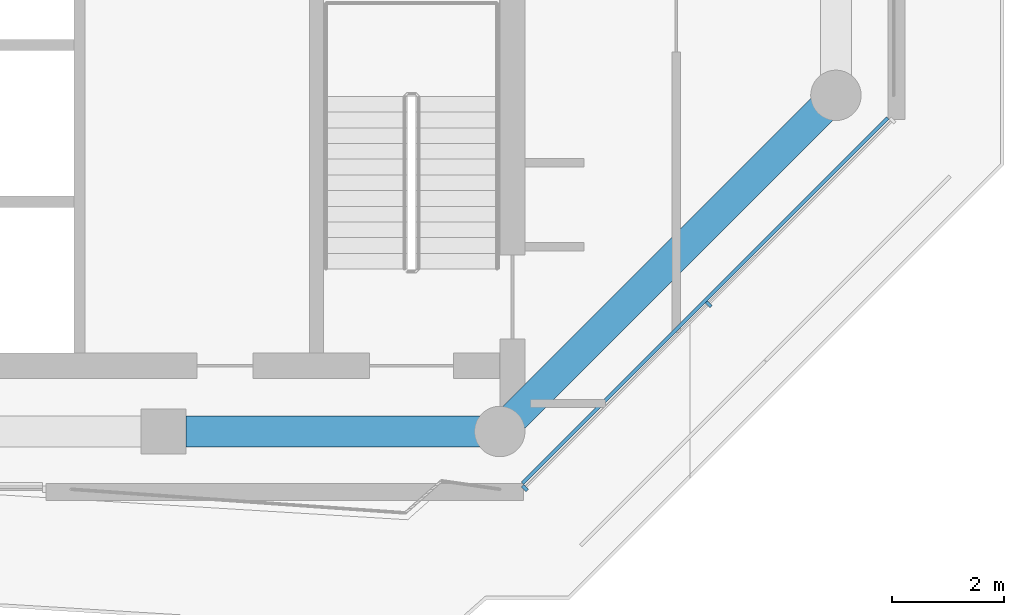
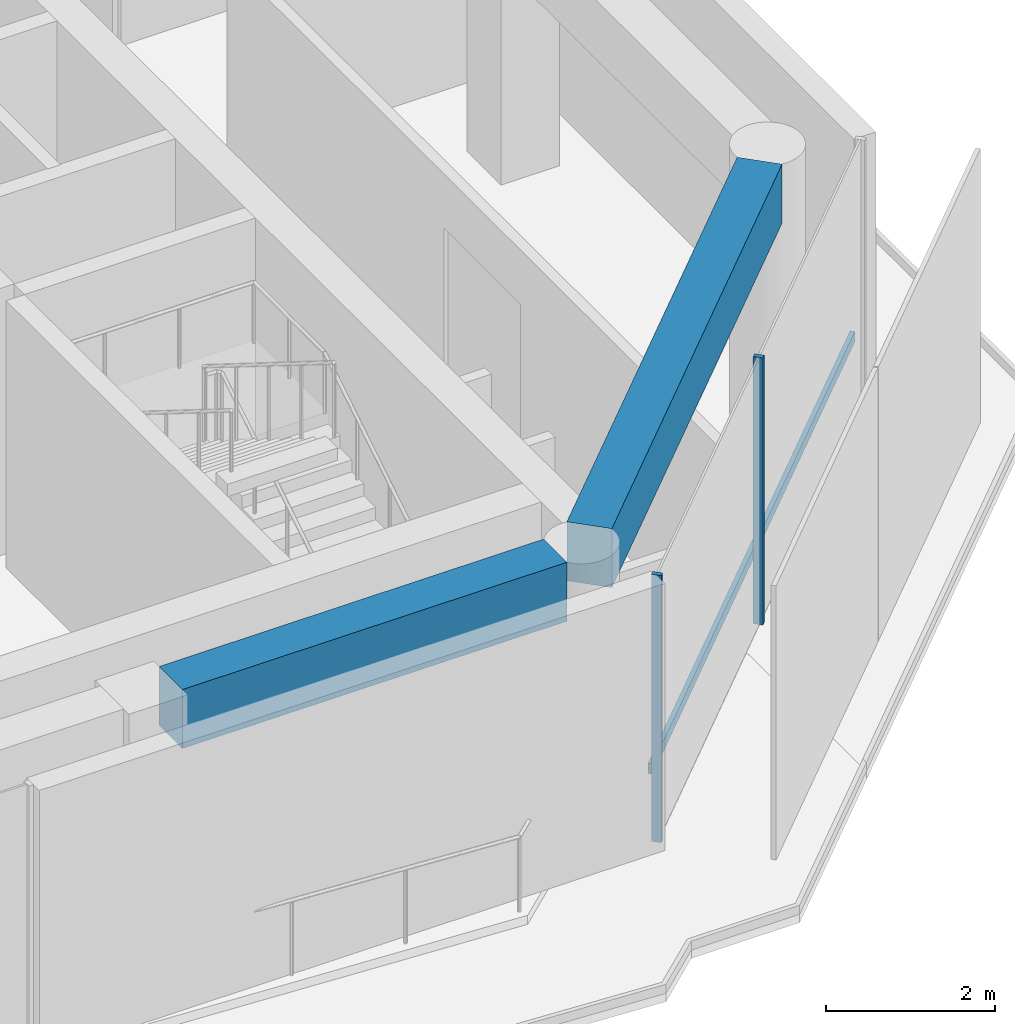
# One storey, part 3 of 19: 3 members, 2 beams, 1 element without a shape of its own.
"""IFC4 building model written with IfcOpenShell, lengths in metres."""

from ifc_helpers import new_model, si_unit, direction, frame, origin, origin_2d, place, context, subcontext, project, spatial, rectangle, extrude, material, layer, layer_set, material_profile, profile_set, type_object, element, aggregate, save


model = new_model("IFC4")

# Units and contexts
model_context = context("Model", 3, precision=1e-05, world=origin(), true_north=direction((0.0, 1.0)))
body_context = subcontext(model_context, "Body", "Model", "MODEL_VIEW")
ifc_project = project(units=[si_unit("LENGTHUNIT", "METRE"), si_unit("AREAUNIT", "SQUARE_METRE"), si_unit("VOLUMEUNIT", "CUBIC_METRE"), si_unit("PLANEANGLEUNIT", "RADIAN"), si_unit("MASSUNIT", "GRAM", prefix="KILO")], contexts=[model_context])

# Site, building, storey
site_placement = place(None, origin())
site = spatial("IfcSite", under=ifc_project, at=site_placement, CompositionType="ELEMENT")
building_placement = place(site_placement, origin())
building = spatial("IfcBuilding", under=site, at=building_placement, Name="Welwitschia Terrace Campus", CompositionType="ELEMENT")
storey_placement = place(building_placement, frame((0.0, 0.0, 243.199951171875)))
storey = spatial("IfcBuildingStorey", under=building, at=storey_placement, Name="L54", CompositionType="ELEMENT", Elevation=243.199951171875)

# Curtain wall, members
ifc_material_1 = material(Name="Bronze anodised aluminium", Category="aluminium")
ifc_layer = layer(ifc_material_1, 0.1201171875)
ifc_layer_set = layer_set([ifc_layer], Name="Bronze anodised aluminium")
curtain_wall_type = type_object("IfcCurtainWallType", Name="Curtain wall CW2 tower 6000", PredefinedType="NOTDEFINED", material=ifc_layer_set)
curtain_wall_placement = place(storey_placement, origin())
curtain_wall = element("IfcCurtainWall", 1, at=curtain_wall_placement, inside=storey, type_object=curtain_wall_type, Name="CW L54.3.0", PredefinedType="NOTDEFINED")
ifc_material_2 = material(Name="Bronze anodised aluminium", Category="aluminium")
ifc_material_profile_1 = material_profile(ifc_material_2, rectangle(XDim=0.1201171875, YDim=0.06005859375, at=origin_2d()))
ifc_profile_set_1 = profile_set([ifc_material_profile_1], Name="Bronze anodised aluminium")
member_type_1 = type_object("IfcMemberType", Name="Mullion 60x120", PredefinedType="MULLION", material=ifc_profile_set_1)
member_1_placement = place(storey_placement, frame((24.44775390625, 2.9912109375, 0.0), z_axis=(0.0, 0.0, 1.0), x_axis=(-0.707106781187, 0.707106781187, 0.0)))
member_1 = element("IfcMember", 2, at=member_1_placement, type_object=member_type_1, Name="Mullion L54.3.0.0", PredefinedType="MULLION", context=body_context, shape_type="SweptSolid", body=[
    extrude(rectangle(XDim=0.1201171875, YDim=0.06005859375, at=origin_2d()), origin(), (0.0, 0.0, 1.0), 3.85009765625),
])
member_2_placement = place(storey_placement, frame((27.728271484375, 6.271728515625, 0.0), z_axis=(0.0, 0.0, 1.0), x_axis=(-0.707106781187, 0.707106781187, 0.0)))
member_2 = element("IfcMember", 3, at=member_2_placement, type_object=member_type_1, Name="Mullion L54.3.0.1", PredefinedType="MULLION", context=body_context, shape_type="SweptSolid", body=[
    extrude(rectangle(XDim=0.1201171875, YDim=0.06005859375, at=origin_2d()), origin(), (0.0, 0.0, 1.0), 3.85009765625),
])

# Beams
ifc_material_3 = material(Name="Concrete C50/60", Category="concrete")
ifc_material_profile_2 = material_profile(ifc_material_3, rectangle(XDim=0.550048828125, YDim=0.85009765625, at=origin_2d()))
ifc_profile_set_2 = profile_set([ifc_material_profile_2], Name="Concrete C50/60")
beam_type = type_object("IfcBeamType", Name="Ring spandrel 550x850", PredefinedType="SPANDREL", material=ifc_profile_set_2)
beam_1_placement = place(storey_placement, frame((18.400390625, 4.0, 3.425048828125), z_axis=(1.0, 0.0, 0.0), x_axis=(0.0, 1.0, 0.0)))
element("IfcBeam", 4, at=beam_1_placement, inside=storey, type_object=beam_type, Name="Spandrel SP3", PredefinedType="SPANDREL", context=body_context, shape_type="SweptSolid", body=[
    extrude(rectangle(XDim=0.550048828125, YDim=0.85009765625, at=origin_2d()), origin(), (0.0, 0.0, 1.0), 5.24267578125),
])
beam_2_placement = place(storey_placement, frame((24.25244140625, 4.25244140625, 3.425048828125), z_axis=(0.707106781187, 0.707106781187, 0.0), x_axis=(-0.707106781187, 0.707106781187, 0.0)))
element("IfcBeam", 5, at=beam_2_placement, inside=storey, type_object=beam_type, Name="Spandrel SP3", PredefinedType="SPANDREL", context=body_context, shape_type="SweptSolid", body=[
    extrude(rectangle(XDim=0.550048828125, YDim=0.85009765625, at=origin_2d()), origin(), (0.0, 0.0, 1.0), 7.771240234375),
])

# Member
ifc_material_4 = material(Name="Bronze anodised aluminium", Category="aluminium")
ifc_material_profile_3 = material_profile(ifc_material_4, rectangle(XDim=0.06005859375, YDim=0.14990234375, at=origin_2d()))
ifc_profile_set_3 = profile_set([ifc_material_profile_3], Name="Bronze anodised aluminium")
member_type_2 = type_object("IfcMemberType", Name="Transom 60x150", PredefinedType="USERDEFINED", material=ifc_profile_set_3)
member_3_placement = place(storey_placement, frame((24.405517578125, 3.076171875, 1.0), z_axis=(0.707106781187, 0.707106781187, 0.0), x_axis=(-0.707106781187, 0.707106781187, 0.0)))
member_3 = element("IfcMember", 6, at=member_3_placement, type_object=member_type_2, Name="Transom L54.3.0", ObjectType="TRANSOM", PredefinedType="USERDEFINED", context=body_context, shape_type="SweptSolid", body=[
    extrude(rectangle(XDim=0.06005859375, YDim=0.14990234375, at=origin_2d()), origin(), (0.0, 0.0, 1.0), 9.21826171875),
])

aggregate(curtain_wall, [member_1, member_2, member_3])

save(model, "model.ifc")
